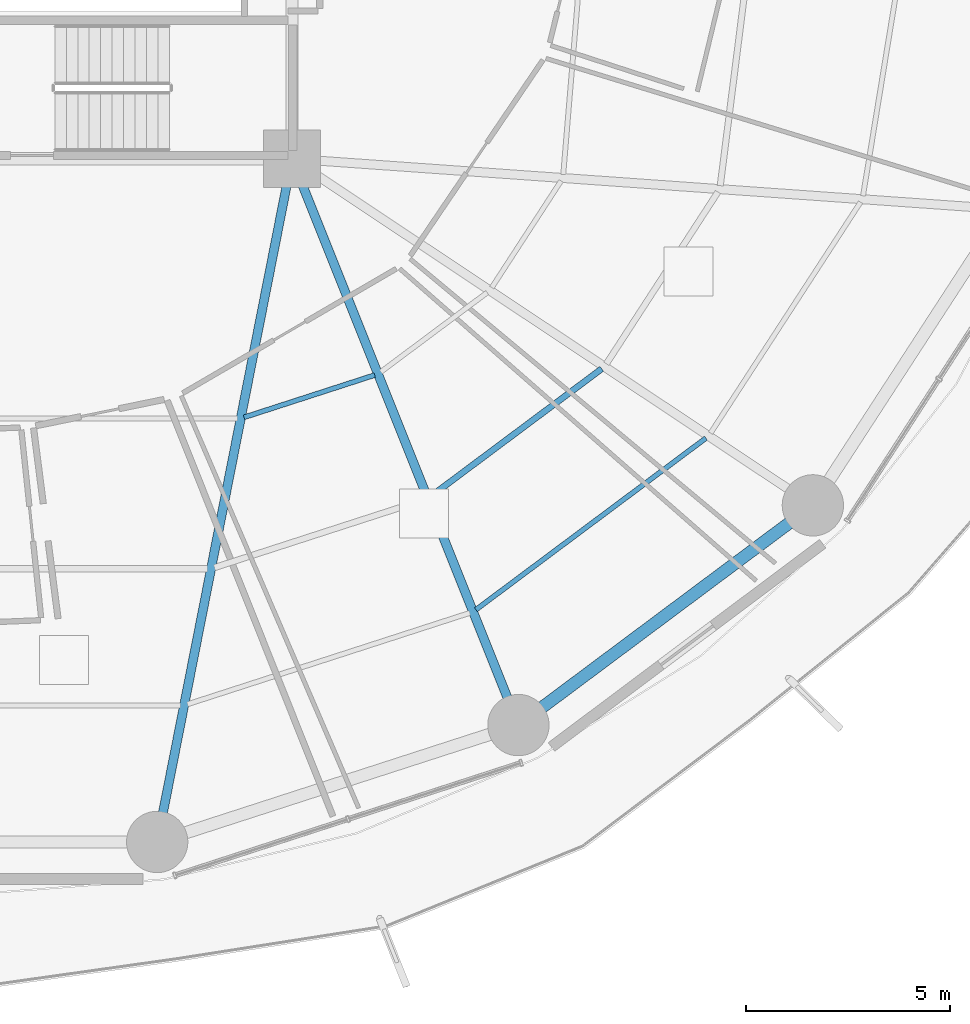
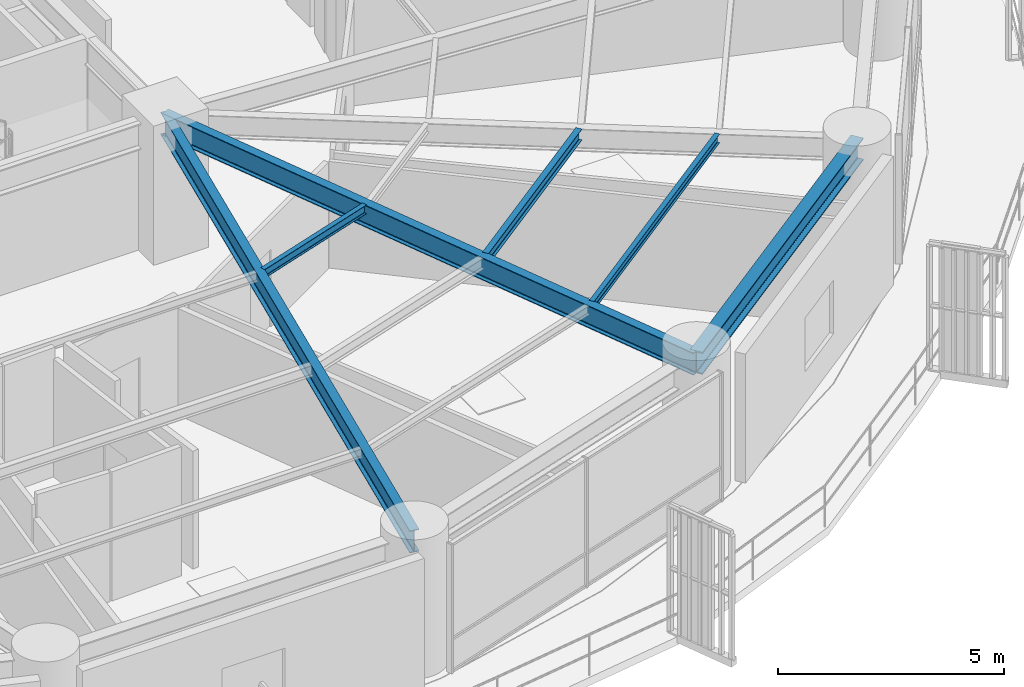
# One storey, part 9 of 32: 6 beams.
"""IFC4 building model written with IfcOpenShell, lengths in metres."""

import ifcopenshell
import ifcopenshell.guid

model = None  # the IFC model being written
_history = None  # IfcOwnerHistory: only IFC2X3 demands one
_inside = {}  # id of a spatial element -> (the spatial element, [elements in it])
_under = {}  # id of a project, library or spatial element -> (it, [spatial elements below it])
_declared = {}  # id of a project -> (the project, [libraries it declares])
_typed = {}  # id of a type object -> (the type object, [elements of that type])
_made_of = {}  # id of a material, layer set ... -> (it, [elements and type objects made of it])


def new_model(schema):
    """Start an empty IFC model of exactly this schema.

    Asked for "IFC4X3", IfcOpenShell would pick the latest addendum, in which some entities
    have other attributes; the version numbers below select the first issue.
    IFC2X3 requires an IfcOwnerHistory on every rooted entity: one is made here for all.
    """
    global model, _history
    if schema == "IFC4X3":
        model = ifcopenshell.file(schema_version=(4, 3, 0, 0))
    else:
        model = ifcopenshell.file(schema=schema)
    _inside.clear()
    _under.clear()
    _declared.clear()
    _typed.clear()
    _made_of.clear()
    _history = None
    if model.schema == "IFC2X3":
        org = make("IfcOrganization", Name="unknown")
        user = make(
            "IfcPersonAndOrganization",
            ThePerson=make("IfcPerson", FamilyName="unknown"),
            TheOrganization=org,
        )
        app = make(
            "IfcApplication",
            ApplicationDeveloper=org,
            Version="unknown",
            ApplicationFullName="unknown",
            ApplicationIdentifier="unknown",
        )
        _history = make(
            "IfcOwnerHistory",
            OwningUser=user,
            OwningApplication=app,
            ChangeAction="ADDED",
            CreationDate=0,
        )
    return model


def make(cls, **values):
    """One entity of the class cls with the attributes given. An attribute that is None is left unset."""
    return model.create_entity(
        cls, **{name: value for name, value in values.items() if value is not None}
    )


def rooted(cls, **values):
    """An entity with a GlobalId (a new one), such as an element, a storey or a relation."""
    return make(cls, GlobalId=ifcopenshell.guid.new(), OwnerHistory=_history, **values)


def si_unit(unit_type, name, prefix=None):
    """IfcSIUnit, for example si_unit("LENGTHUNIT", "METRE", prefix="MILLI")."""
    return make("IfcSIUnit", UnitType=unit_type, Prefix=prefix, Name=name)


def assignment(units):
    """IfcUnitAssignment: the units of a project."""
    return None if units is None else make("IfcUnitAssignment", Units=units)


def point(xyz):
    """IfcCartesianPoint."""
    return None if xyz is None else make("IfcCartesianPoint", Coordinates=xyz)


def direction(xyz):
    """IfcDirection."""
    return None if xyz is None else make("IfcDirection", DirectionRatios=xyz)


def frame(location, z_axis=None, x_axis=None):
    """IfcAxis2Placement3D, a coordinate frame: its origin and axes. An axis left out is left unset."""
    return make(
        "IfcAxis2Placement3D",
        Location=point(location),
        Axis=direction(z_axis),
        RefDirection=direction(x_axis),
    )


def frame_2d(location, x_axis=None):
    """IfcAxis2Placement2D, a coordinate frame in the plane: its origin and x axis."""
    return make(
        "IfcAxis2Placement2D", Location=point(location), RefDirection=direction(x_axis)
    )


def origin():
    """The frame at (0, 0, 0) with its axes left unset."""
    return frame((0.0, 0.0, 0.0))


def origin_2d():
    """The frame at (0, 0) in the plane with its x axis left unset."""
    return frame_2d((0.0, 0.0))


def place(relative_to, where):
    """IfcLocalPlacement: puts the frame where relative to a parent placement (None: the world)."""
    return make(
        "IfcLocalPlacement", PlacementRelTo=relative_to, RelativePlacement=where
    )


def context(
    kind, dimensions, precision=None, world=None, true_north=None, identifier=None
):
    """IfcGeometricRepresentationContext, for example the 3D "Model" context."""
    return make(
        "IfcGeometricRepresentationContext",
        ContextIdentifier=identifier,
        ContextType=kind,
        CoordinateSpaceDimension=dimensions,
        Precision=precision,
        WorldCoordinateSystem=world,
        TrueNorth=true_north,
    )


def subcontext(parent, identifier, kind, view, scale=None):
    """IfcGeometricRepresentationSubContext, for example "Body" below "Model"."""
    return make(
        "IfcGeometricRepresentationSubContext",
        ContextIdentifier=identifier,
        ContextType=kind,
        ParentContext=parent,
        TargetScale=scale,
        TargetView=view,
    )


def project(units=None, contexts=None):
    """IfcProject with its units and contexts."""
    return rooted(
        "IfcProject",
        Name="project",
        RepresentationContexts=contexts,
        UnitsInContext=assignment(units),
    )


def spatial(cls, under=None, at=None, **own):
    """A site, building, storey or space (cls), placed at a placement, below another one or the project."""
    s = rooted(cls, ObjectPlacement=at, **own)
    if under is not None:
        _under.setdefault(under.id(), (under, []))[1].append(s)
    return s


def profile(cls, at=None, kind="AREA", **sizes):
    """A parametric profile (cls). Its sizes go by their IFC names, for example OverallWidth=200.0."""
    return make(cls, ProfileType=kind, Position=at, **sizes)


def i_section(**sizes):
    """IfcIShapeProfileDef."""
    return profile("IfcIShapeProfileDef", **sizes)


def extrude(swept, where, along, depth):
    """IfcExtrudedAreaSolid: the profile swept, set in the frame where, extruded along a direction by depth."""
    return make(
        "IfcExtrudedAreaSolid",
        SweptArea=swept,
        Position=where,
        ExtrudedDirection=direction(along),
        Depth=depth,
    )


def shape(context_of_items, identifier, shape_type, items):
    """IfcShapeRepresentation: the items that make up one representation, for example the "Body"."""
    return make(
        "IfcShapeRepresentation",
        ContextOfItems=context_of_items,
        RepresentationIdentifier=identifier,
        RepresentationType=shape_type,
        Items=items,
    )


def material(Name=None, Category=None):
    """IfcMaterial."""
    return make("IfcMaterial", Name=Name, Category=Category)


def material_profile(
    of_material, cross_section, Name=None, Category=None, Priority=None
):
    """IfcMaterialProfile: a cross section and its material."""
    return make(
        "IfcMaterialProfile",
        Name=Name,
        Material=of_material,
        Profile=cross_section,
        Priority=Priority,
        Category=Category,
    )


def profile_set(profiles, Name=None, composite=None):
    """IfcMaterialProfileSet."""
    return make(
        "IfcMaterialProfileSet",
        Name=Name,
        MaterialProfiles=profiles,
        CompositeProfile=composite,
    )


def made_of(thing, what):
    """Note that an element or type object is made of a material, layer set ...; save() writes the relation."""
    if what is not None:
        _made_of.setdefault(what.id(), (what, []))[1].append(thing)
    return thing


def type_object(cls, material=None, **own):
    """A type object (cls), such as IfcWallType, which elements share."""
    return made_of(rooted(cls, **own), material)


def element(
    cls,
    number,
    at=None,
    inside=None,
    cuts=None,
    type_object=None,
    material=None,
    context=None,
    identifier="Body",
    shape_type=None,
    held_by="IfcProductDefinitionShape",
    body=None,
    shapes=None,
    **own,
):
    """One element of the class cls, such as IfcWall. Its Tag is "e" and its number.

    at: its placement. inside: the storey or other place that contains it. cuts: it is an
    opening in that element (IfcRelVoidsElement). A single representation is given by context,
    identifier, shape_type and body (its items); several are given by shapes. held_by: the class
    of the entity that holds the representations. save() writes the other relations.
    """
    e = rooted(cls, Tag="e%d" % number, ObjectPlacement=at, **own)
    if body is not None:
        shapes = [shape(context, identifier, shape_type, body)]
    if shapes is not None:
        e.Representation = make(held_by, Representations=shapes)
    if inside is not None:
        _inside.setdefault(inside.id(), (inside, []))[1].append(e)
    if cuts is not None:
        rooted(
            "IfcRelVoidsElement", RelatingBuildingElement=cuts, RelatedOpeningElement=e
        )
    if type_object is not None:
        _typed.setdefault(type_object.id(), (type_object, []))[1].append(e)
    return made_of(e, material)


def aggregate(whole, parts):
    """IfcRelAggregates: a whole, such as a stair, and the parts it consists of."""
    return rooted("IfcRelAggregates", RelatingObject=whole, RelatedObjects=parts)


def save(model, path):
    """Write the relations noted so far, then the file.

    IfcRelAggregates (storeys below a building ...), IfcRelContainedInSpatialStructure (elements
    in a storey), IfcRelDefinesByType, IfcRelAssociatesMaterial and IfcRelDeclares: one each for
    every whole, place, type object, material and project.
    """
    for whole, parts in _under.values():
        aggregate(whole, parts)
    for where, things in _inside.values():
        rooted(
            "IfcRelContainedInSpatialStructure",
            RelatedElements=things,
            RelatingStructure=where,
        )
    for kind, things in _typed.values():
        rooted("IfcRelDefinesByType", RelatedObjects=things, RelatingType=kind)
    for what, things in _made_of.values():
        rooted("IfcRelAssociatesMaterial", RelatedObjects=things, RelatingMaterial=what)
    for by, libraries in _declared.values():
        rooted("IfcRelDeclares", RelatingContext=by, RelatedDefinitions=libraries)
    model.write(path)


model = new_model("IFC4")

# Units and contexts
model_context = context("Model", 3, precision=1e-05, world=origin(), true_north=direction((0.0, 1.0)))
body_context = subcontext(model_context, "Body", "Model", "MODEL_VIEW")
ifc_project = project(units=[si_unit("LENGTHUNIT", "METRE"), si_unit("AREAUNIT", "SQUARE_METRE"), si_unit("VOLUMEUNIT", "CUBIC_METRE"), si_unit("PLANEANGLEUNIT", "RADIAN"), si_unit("MASSUNIT", "GRAM", prefix="KILO")], contexts=[model_context])

# Site, building, storey
site_placement = place(None, origin())
site = spatial("IfcSite", under=ifc_project, at=site_placement, CompositionType="ELEMENT")
building_placement = place(site_placement, origin())
building = spatial("IfcBuilding", under=site, at=building_placement, Name="Kelanora Arch Commons", CompositionType="ELEMENT")
storey_placement = place(building_placement, frame((0.0, 0.0, 52.5)))
storey = spatial("IfcBuildingStorey", under=building, at=storey_placement, Name="L13", CompositionType="ELEMENT", Elevation=52.5)

# Beams
ifc_material = material(Name="Steel S355", Category="steel")
ifc_material_profile_1 = material_profile(ifc_material, i_section(OverallWidth=0.14990234375, OverallDepth=0.300048828125, WebThickness=0.007080078125, FlangeThickness=0.0107421875, FilletRadius=0.014892578125, at=origin_2d()), Name="IPE300")
ifc_profile_set_1 = profile_set([ifc_material_profile_1], Name="Steel S355")
beam_type_1 = type_object("IfcBeamType", Name="BM-JST-01", PredefinedType="JOIST", material=ifc_profile_set_1)
beam_1_placement = place(storey_placement, frame((85.39208984375, 42.738525390625, 3.340087890625), z_axis=(0.801478251559, 0.598023922831, 0.0), x_axis=(-0.598023922831, 0.801478251559, 0.0)))
element("IfcBeam", 1, at=beam_1_placement, inside=storey, type_object=beam_type_1, Name="Secondary Chord Joist BJB-30 L13", PredefinedType="JOIST", context=body_context, shape_type="SweptSolid", body=[
    extrude(i_section(OverallWidth=0.14990234375, OverallDepth=0.300048828125, WebThickness=0.007080078125, FlangeThickness=0.0107421875, FilletRadius=0.014892578125, at=origin_2d()), origin(), (0.0, 0.0, 1.0), 5.223388671875),
])
ifc_material_profile_2 = material_profile(ifc_material, i_section(OverallWidth=0.1201171875, OverallDepth=0.239990234375, WebThickness=0.006103515625, FlangeThickness=0.009765625, FilletRadius=0.014892578125, at=origin_2d()), Name="IPE240")
ifc_profile_set_2 = profile_set([ifc_material_profile_2], Name="Steel S355")
beam_type_2 = type_object("IfcBeamType", Name="BM-JST-02", PredefinedType="JOIST", material=ifc_profile_set_2)
beam_2_placement = place(storey_placement, frame((80.827880859375, 44.6748046875, 3.3701171875), z_axis=(0.951422608074, 0.30788800049, 0.0), x_axis=(-0.30788800049, 0.951422608074, 0.0)))
element("IfcBeam", 2, at=beam_2_placement, inside=storey, type_object=beam_type_2, Name="Secondary Chord Joist BJA-28 L13", PredefinedType="JOIST", context=body_context, shape_type="SweptSolid", body=[
    extrude(i_section(OverallWidth=0.1201171875, OverallDepth=0.239990234375, WebThickness=0.006103515625, FlangeThickness=0.009765625, FilletRadius=0.014892578125, at=origin_2d()), origin(), (0.0, 0.0, 1.0), 3.359619140625),
])
beam_3_placement = place(storey_placement, frame((86.5, 39.9677734375, 3.3701171875), z_axis=(0.80149131963, 0.598006408459, 0.0), x_axis=(-0.598006408459, 0.80149131963, 0.0)))
element("IfcBeam", 3, at=beam_3_placement, inside=storey, type_object=beam_type_2, Name="Secondary Chord Joist BJC-30 L13", PredefinedType="JOIST", context=body_context, shape_type="SweptSolid", body=[
    extrude(i_section(OverallWidth=0.1201171875, OverallDepth=0.239990234375, WebThickness=0.006103515625, FlangeThickness=0.009765625, FilletRadius=0.014892578125, at=origin_2d()), origin(), (0.0, 0.0, 1.0), 7.021240234375),
])
ifc_material_profile_3 = material_profile(ifc_material, i_section(OverallWidth=0.219970703125, OverallDepth=0.60009765625, WebThickness=0.011962890625, FlangeThickness=0.01904296875, FilletRadius=0.02392578125, at=origin_2d()), Name="IPE600")
ifc_profile_set_3 = profile_set([ifc_material_profile_3], Name="Steel S355")
beam_type_3 = type_object("IfcBeamType", Name="BM-RAD-Z1", PredefinedType="BEAM", material=ifc_profile_set_3)
beam_4_placement = place(storey_placement, frame((82.0, 51.0, 3.18994140625), z_axis=(-0.19356352044, -0.981087745084, 0.0), x_axis=(0.981087745084, -0.19356352044, 0.0)))
element("IfcBeam", 4, at=beam_4_placement, inside=storey, type_object=beam_type_3, Name="Radial Floor Girder BR-28 L13", PredefinedType="BEAM", context=body_context, shape_type="SweptSolid", body=[
    extrude(i_section(OverallWidth=0.219970703125, OverallDepth=0.60009765625, WebThickness=0.011962890625, FlangeThickness=0.01904296875, FilletRadius=0.02392578125, at=origin_2d()), origin(), (0.0, 0.0, 1.0), 17.036376953125),
])
beam_5_placement = place(storey_placement, frame((82.0, 51.0, 3.18994140625), z_axis=(0.371300398117, -0.928512797089, 0.0), x_axis=(0.928512797089, 0.371300398117, 0.0)))
element("IfcBeam", 5, at=beam_5_placement, inside=storey, type_object=beam_type_3, Name="Radial Floor Girder BR-30 L13", PredefinedType="BEAM", context=body_context, shape_type="SweptSolid", body=[
    extrude(i_section(OverallWidth=0.219970703125, OverallDepth=0.60009765625, WebThickness=0.011962890625, FlangeThickness=0.01904296875, FilletRadius=0.02392578125, at=origin_2d()), origin(), (0.0, 0.0, 1.0), 14.920654296875),
])
ifc_material_profile_4 = material_profile(ifc_material, i_section(OverallWidth=0.300048828125, OverallDepth=0.60009765625, WebThickness=0.015380859375, FlangeThickness=0.030029296875, FilletRadius=0.027099609375, at=origin_2d()), Name="HEB600")
ifc_profile_set_4 = profile_set([ifc_material_profile_4], Name="Steel S355")
beam_type_4 = type_object("IfcBeamType", Name="BM-SPN-Z1", PredefinedType="SPANDREL", material=ifc_profile_set_4)
beam_6_placement = place(storey_placement, frame((87.5400390625, 37.14599609375, 3.18994140625), z_axis=(0.801467504127, 0.598038326388, 0.0), x_axis=(-0.598038326388, 0.801467504127, 0.0)))
element("IfcBeam", 6, at=beam_6_placement, inside=storey, type_object=beam_type_4, Name="Perimeter Spandrel Beam BS-30 L13", PredefinedType="SPANDREL", context=body_context, shape_type="SweptSolid", body=[
    extrude(i_section(OverallWidth=0.300048828125, OverallDepth=0.60009765625, WebThickness=0.015380859375, FlangeThickness=0.030029296875, FilletRadius=0.027099609375, at=origin_2d()), origin(), (0.0, 0.0, 1.0), 8.989013671875),
])

save(model, "model.ifc")
